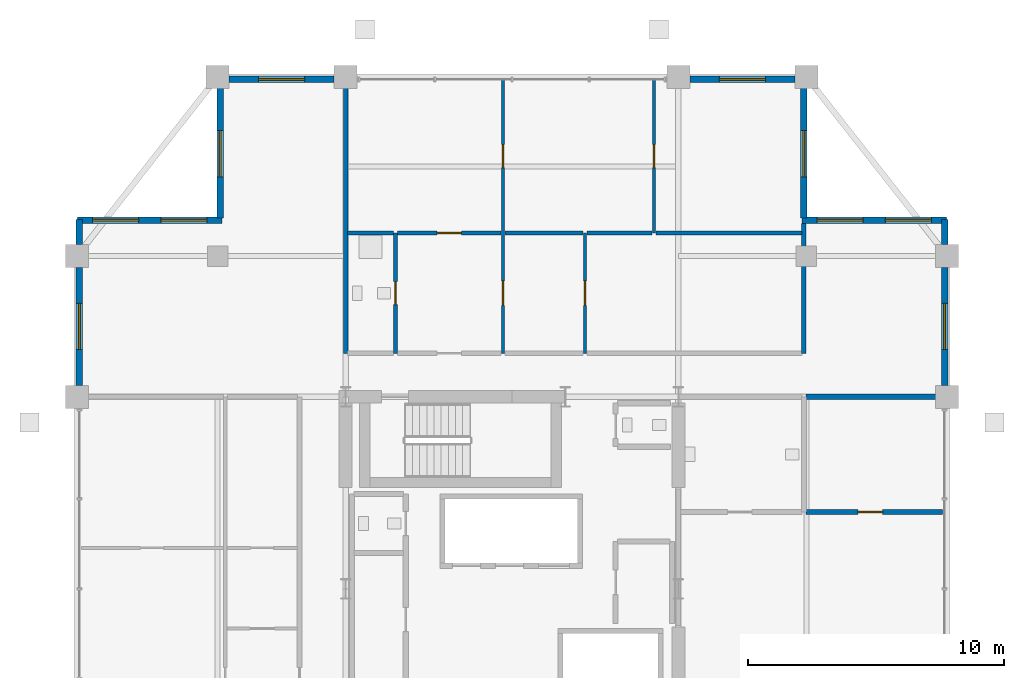
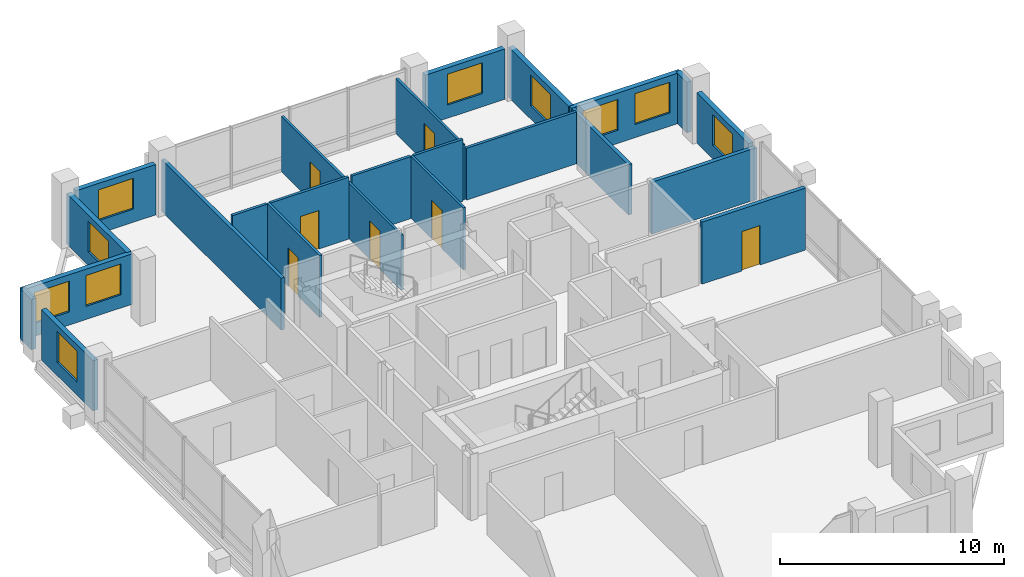
# One storey, part 18 of 21: 23 walls, 10 windows, 7 doors, 17 openings.
"""IFC4 building model written with IfcOpenShell, lengths in metres."""

from ifc_helpers import new_model, si_unit, direction, frame, frame_2d, origin, place, context, subcontext, project, spatial, rectangle, extrude, material, layer, layer_set, type_object, element, fill, save


model = new_model("IFC4")

# Units and contexts
model_context = context("Model", 3, precision=1e-05, world=origin(), true_north=direction((0.0, 1.0)))
body_context = subcontext(model_context, "Body", "Model", "MODEL_VIEW")
ifc_project = project(units=[si_unit("LENGTHUNIT", "METRE"), si_unit("AREAUNIT", "SQUARE_METRE"), si_unit("VOLUMEUNIT", "CUBIC_METRE"), si_unit("PLANEANGLEUNIT", "RADIAN"), si_unit("MASSUNIT", "GRAM", prefix="KILO")], contexts=[model_context])

# Site, building, storey
site_placement = place(None, origin())
site = spatial("IfcSite", under=ifc_project, at=site_placement, CompositionType="ELEMENT")
building_placement = place(site_placement, origin())
building = spatial("IfcBuilding", under=site, at=building_placement, Name="Barlavira Tower and Art Museum", CompositionType="ELEMENT")
storey_placement = place(building_placement, frame((0.0, 0.0, 222.300048828125)))
storey = spatial("IfcBuildingStorey", under=building, at=storey_placement, Name="L57", CompositionType="ELEMENT", Elevation=222.300048828125)

# Wall, openings, doors
ifc_material_1 = material(Name="Gypsum acoustic stud partition", Category="gypsum")
ifc_layer_1 = layer(ifc_material_1, 0.1201171875, Name="Gypsum acoustic stud partition")
ifc_layer_set_1 = layer_set([ifc_layer_1], Name="Gypsum acoustic stud partition")
wall_type_1 = type_object("IfcWallType", Name="Apartment Internal Acoustic Partition 120", PredefinedType="PARTITIONING", material=ifc_layer_set_1)
wall_1_placement = place(storey_placement, frame((-0.35009765625, 9.199951171875, 0.0), z_axis=(0.0, 0.0, 1.0), x_axis=(0.0, 1.0, 0.0)))
wall_1 = element("IfcWall", 1, at=wall_1_placement, inside=storey, type_object=wall_type_1, Name="L57 Partition Wall 8", PredefinedType="PARTITIONING", context=body_context, shape_type="SweptSolid", body=[
    extrude(rectangle(XDim=10.699951171875, YDim=0.1201171875, at=frame_2d((5.35009765625, 0.0))), origin(), (0.0, 0.0, 1.0), 3.01806640625),
])
opening_1_placement = place(wall_1_placement, frame((1.875, 0.0, 0.0)))
opening_1 = element("IfcOpeningElement", 2, at=opening_1_placement, cuts=wall_1, Name="Opening D-02", PredefinedType="OPENING", context=body_context, shape_type="SweptSolid", body=[
    extrude(rectangle(XDim=0.949951171875, YDim=2.10009765625, at=frame_2d((0.47509765625, 1.050048828125))), frame((0.0, 0.070068359375, 0.0), z_axis=(0.0, -1.0, 0.0), x_axis=(1.0, 0.0, 0.0)), (0.0, 0.0, 1.0), 0.14013671875),
])
opening_2_placement = place(wall_1_placement, frame((7.25, 0.0, 0.0)))
opening_2 = element("IfcOpeningElement", 3, at=opening_2_placement, cuts=wall_1, Name="Opening D-01", PredefinedType="OPENING", context=body_context, shape_type="SweptSolid", body=[
    extrude(rectangle(XDim=0.89990234375, YDim=2.10009765625, at=frame_2d((0.449951171875, 1.050048828125))), frame((0.0, 0.070068359375, 0.0), z_axis=(0.0, -1.0, 0.0), x_axis=(1.0, 0.0, 0.0)), (0.0, 0.0, 1.0), 0.14013671875),
])
ifc_material_2 = material(Name="Engineered coastal hardwood", Category="wood")
door_type_1 = type_object("IfcDoorType", Name="Internal Bedroom Timber Flush Door 900x2100", OperationType="NOTDEFINED", PredefinedType="DOOR", material=ifc_material_2)
door_1_placement = place(opening_2_placement, origin())
door_1 = element("IfcDoor", 4, at=door_1_placement, inside=storey, type_object=door_type_1, Name="Apartment SKY-N1 Bedroom 1 Door", OperationType="SINGLE_SWING_LEFT", OverallHeight=2.10009765625, OverallWidth=0.89990234375, PredefinedType="DOOR", context=body_context, shape_type="SweptSolid", body=[
    extrude(rectangle(XDim=0.89990234375, YDim=2.10009765625, at=frame_2d((0.449951171875, 1.050048828125))), frame((0.0, 0.02490234375, 0.0), z_axis=(0.0, -1.0, 0.0), x_axis=(1.0, 0.0, 0.0)), (0.0, 0.0, 1.0), 0.050048828125),
])
fill(opening_2, door_1)
door_type_2 = type_object("IfcDoorType", Name="Living and Salon Glazed-Leaf Door 950x2100", OperationType="NOTDEFINED", PredefinedType="DOOR", material=ifc_material_2)
door_2_placement = place(opening_1_placement, origin())
door_2 = element("IfcDoor", 5, at=door_2_placement, inside=storey, type_object=door_type_2, Name="Apartment SKY-N1 Kitchen Door", OperationType="SINGLE_SWING_RIGHT", OverallHeight=2.10009765625, OverallWidth=0.949951171875, PredefinedType="DOOR", context=body_context, shape_type="SweptSolid", body=[
    extrude(rectangle(XDim=0.949951171875, YDim=2.10009765625, at=frame_2d((0.47509765625, 1.050048828125))), frame((0.0, 0.02490234375, 0.0), z_axis=(0.0, -1.0, 0.0), x_axis=(1.0, 0.0, 0.0)), (0.0, 0.0, 1.0), 0.050048828125),
])
fill(opening_1, door_2)

# Wall, opening, door
wall_2_placement = place(storey_placement, frame((2.85009765625, 9.199951171875, 0.0), z_axis=(0.0, 0.0, 1.0), x_axis=(0.0, 1.0, 0.0)))
wall_2 = element("IfcWall", 6, at=wall_2_placement, inside=storey, type_object=wall_type_1, Name="L57 Partition Wall 10", PredefinedType="PARTITIONING", context=body_context, shape_type="SweptSolid", body=[
    extrude(rectangle(XDim=4.699951171875, YDim=0.1201171875, at=frame_2d((2.35009765625, 0.0))), origin(), (0.0, 0.0, 1.0), 3.3798828125),
])
opening_3_placement = place(wall_2_placement, frame((1.875, 0.0, 0.0)))
opening_3 = element("IfcOpeningElement", 7, at=opening_3_placement, cuts=wall_2, Name="Opening D-02", PredefinedType="OPENING", context=body_context, shape_type="SweptSolid", body=[
    extrude(rectangle(XDim=0.949951171875, YDim=2.10009765625, at=frame_2d((0.47509765625, 1.050048828125))), frame((0.0, 0.070068359375, 0.0), z_axis=(0.0, -1.0, 0.0), x_axis=(1.0, 0.0, 0.0)), (0.0, 0.0, 1.0), 0.14013671875),
])
door_3_placement = place(opening_3_placement, origin())
door_3 = element("IfcDoor", 8, at=door_3_placement, inside=storey, type_object=door_type_2, Name="Apartment SKY-N1 Dining Salon Door", OperationType="SINGLE_SWING_LEFT", OverallHeight=2.10009765625, OverallWidth=0.949951171875, PredefinedType="DOOR", context=body_context, shape_type="SweptSolid", body=[
    extrude(rectangle(XDim=0.949951171875, YDim=2.10009765625, at=frame_2d((0.47509765625, 1.050048828125))), frame((0.0, 0.02490234375, 0.0), z_axis=(0.0, -1.0, 0.0), x_axis=(1.0, 0.0, 0.0)), (0.0, 0.0, 1.0), 0.050048828125),
])
fill(opening_3, door_3)

wall_3_placement = place(storey_placement, frame((5.550048828125, 13.89990234375, 0.0), z_axis=(0.0, 0.0, 1.0), x_axis=(0.0, 1.0, 0.0)))
wall_3 = element("IfcWall", 9, at=wall_3_placement, inside=storey, type_object=wall_type_1, Name="L57 Partition Wall 13", PredefinedType="PARTITIONING", context=body_context, shape_type="SweptSolid", body=[
    extrude(rectangle(XDim=6.0, YDim=0.1201171875, at=frame_2d((3.0, 0.0))), origin(), (0.0, 0.0, 1.0), 3.01806640625),
])
opening_4_placement = place(wall_3_placement, frame((2.550048828125, 0.0, 0.0)))
opening_4 = element("IfcOpeningElement", 10, at=opening_4_placement, cuts=wall_3, Name="Opening D-01", PredefinedType="OPENING", context=body_context, shape_type="SweptSolid", body=[
    extrude(rectangle(XDim=0.89990234375, YDim=2.10009765625, at=frame_2d((0.449951171875, 1.050048828125))), frame((0.0, 0.070068359375, 0.0), z_axis=(0.0, -1.0, 0.0), x_axis=(1.0, 0.0, 0.0)), (0.0, 0.0, 1.0), 0.14013671875),
])
door_4_placement = place(opening_4_placement, origin())
door_4 = element("IfcDoor", 11, at=door_4_placement, inside=storey, type_object=door_type_1, Name="Apartment SKY-N1 Bedroom 2 Door", OperationType="SINGLE_SWING_RIGHT", OverallHeight=2.10009765625, OverallWidth=0.89990234375, PredefinedType="DOOR", context=body_context, shape_type="SweptSolid", body=[
    extrude(rectangle(XDim=0.89990234375, YDim=2.10009765625, at=frame_2d((0.449951171875, 1.050048828125))), frame((0.0, 0.02490234375, 0.0), z_axis=(0.0, -1.0, 0.0), x_axis=(1.0, 0.0, 0.0)), (0.0, 0.0, 1.0), 0.050048828125),
])
fill(opening_4, door_4)

ifc_material_3 = material(Name="Autoclaved aerated concrete masonry", Category="masonry")
ifc_layer_2 = layer(ifc_material_3, 0.199951171875, Name="Autoclaved aerated concrete masonry")
ifc_layer_set_2 = layer_set([ifc_layer_2], Name="Autoclaved aerated concrete masonry")
wall_type_2 = type_object("IfcWallType", Name="Fire Compartment and Shaft Wall 200", PredefinedType="SOLIDWALL", material=ifc_layer_set_2)
wall_4_placement = place(storey_placement, frame((11.47998046875, 3.0, 0.0), z_axis=(0.0, 0.0, 1.0), x_axis=(1.0, 0.0, 0.0)))
wall_4 = element("IfcWall", 12, at=wall_4_placement, inside=storey, type_object=wall_type_2, Name="L57 Partition Wall 34", PredefinedType="SOLIDWALL", context=body_context, shape_type="SweptSolid", body=[
    extrude(rectangle(XDim=5.340087890625, YDim=0.199951171875, at=frame_2d((2.669921875, 0.0))), origin(), (0.0, 0.0, 1.0), 3.3798828125),
])
opening_5_placement = place(wall_4_placement, frame((2.044921875, 0.0, 0.0)))
opening_5 = element("IfcOpeningElement", 13, at=opening_5_placement, cuts=wall_4, Name="Opening FD-60", PredefinedType="OPENING", context=body_context, shape_type="SweptSolid", body=[
    extrude(rectangle(XDim=0.949951171875, YDim=2.14990234375, at=frame_2d((0.47509765625, 1.074951171875))), frame((0.0, 0.10986328125, 0.0), z_axis=(0.0, -1.0, 0.0), x_axis=(1.0, 0.0, 0.0)), (0.0, 0.0, 1.0), 0.219970703125),
])
ifc_material_4 = material(Name="Brushed stainless steel", Category="steel")
door_type_3 = type_object("IfcDoorType", Name="Apartment Entrance and Riser Fire Door 950x2150 FD60S", OperationType="NOTDEFINED", PredefinedType="DOOR", material=ifc_material_4)
door_5_placement = place(opening_5_placement, origin())
door_5 = element("IfcDoor", 14, at=door_5_placement, inside=storey, type_object=door_type_3, Name="Sky Concierge Luggage Store Door", OperationType="SINGLE_SWING_LEFT", OverallHeight=2.14990234375, OverallWidth=0.949951171875, PredefinedType="DOOR", context=body_context, shape_type="SweptSolid", body=[
    extrude(rectangle(XDim=0.949951171875, YDim=2.14990234375, at=frame_2d((0.47509765625, 1.074951171875))), frame((0.0, 0.02490234375, 0.0), z_axis=(0.0, -1.0, 0.0), x_axis=(1.0, 0.0, 0.0)), (0.0, 0.0, 1.0), 0.050048828125),
])
fill(opening_5, door_5)

# Walls
wall_5_placement = place(storey_placement, frame((11.47998046875, 7.5, 0.0), z_axis=(0.0, 0.0, 1.0), x_axis=(1.0, 0.0, 0.0)))
element("IfcWall", 15, at=wall_5_placement, inside=storey, type_object=wall_type_2, Name="L57 Partition Wall 41", PredefinedType="SOLIDWALL", context=body_context, shape_type="SweptSolid", body=[
    extrude(rectangle(XDim=5.419921875, YDim=0.199951171875, at=frame_2d((2.7099609375, 0.0))), origin(), (0.0, 0.0, 1.0), 2.825927734375),
])
ifc_layer_3 = layer(ifc_material_1, 0.179931640625, Name="Gypsum acoustic stud partition")
ifc_layer_set_3 = layer_set([ifc_layer_3], Name="Gypsum acoustic stud partition")
wall_type_3 = type_object("IfcWallType", Name="Inter-Tenancy Party Partition Wall 180", PredefinedType="PARTITIONING", material=ifc_layer_set_3)
wall_6_placement = place(storey_placement, frame((-6.5, 9.199951171875, 0.0), z_axis=(0.0, 0.0, 1.0), x_axis=(0.0, 1.0, 0.0)))
element("IfcWall", 16, at=wall_6_placement, inside=storey, type_object=wall_type_3, Name="L57 Partition Wall 4", PredefinedType="PARTITIONING", context=body_context, shape_type="SweptSolid", body=[
    extrude(rectangle(XDim=10.699951171875, YDim=0.179931640625, at=frame_2d((5.35009765625, 0.0))), origin(), (0.0, 0.0, 1.0), 2.825927734375),
])
wall_7_placement = place(storey_placement, frame((11.39990234375, 9.199951171875, 0.0), z_axis=(0.0, 0.0, 1.0), x_axis=(0.0, 1.0, 0.0)))
element("IfcWall", 17, at=wall_7_placement, inside=storey, type_object=wall_type_3, Name="L57 Partition Wall 18", PredefinedType="PARTITIONING", context=body_context, shape_type="SweptSolid", body=[
    extrude(rectangle(XDim=5.070068359375, YDim=0.179931640625, at=frame_2d((2.53515625, 0.0))), origin(), (0.0, 0.0, 1.0), 2.748046875),
])

# Wall, opening, door
ifc_layer_4 = layer(ifc_material_1, 0.139892578125, Name="Gypsum acoustic stud partition")
ifc_layer_set_4 = layer_set([ifc_layer_4], Name="Gypsum acoustic stud partition")
wall_type_4 = type_object("IfcWallType", Name="Moisture-Resistant Bathroom Partition 140", PredefinedType="PARTITIONING", material=ifc_layer_set_4)
wall_8_placement = place(storey_placement, frame((-4.550048828125, 9.199951171875, 0.0), z_axis=(0.0, 0.0, 1.0), x_axis=(0.0, 1.0, 0.0)))
wall_8 = element("IfcWall", 18, at=wall_8_placement, inside=storey, type_object=wall_type_4, Name="L57 Partition Wall 6", PredefinedType="PARTITIONING", context=body_context, shape_type="SweptSolid", body=[
    extrude(rectangle(XDim=4.699951171875, YDim=0.139892578125, at=frame_2d((2.35009765625, 0.0))), origin(), (0.0, 0.0, 1.0), 3.3798828125),
])
opening_6_placement = place(wall_8_placement, frame((1.89990234375, 0.0, 0.0)))
opening_6 = element("IfcOpeningElement", 19, at=opening_6_placement, cuts=wall_8, Name="Opening D-WC", PredefinedType="OPENING", context=body_context, shape_type="SweptSolid", body=[
    extrude(rectangle(XDim=0.89990234375, YDim=2.10009765625, at=frame_2d((0.449951171875, 1.050048828125))), frame((0.0, 0.080078125, 0.0), z_axis=(0.0, -1.0, 0.0), x_axis=(1.0, 0.0, 0.0)), (0.0, 0.0, 1.0), 0.159912109375),
])
door_type_4 = type_object("IfcDoorType", Name="Accessible Bathroom Flush Door 900x2100", OperationType="NOTDEFINED", PredefinedType="DOOR", material=ifc_material_2)
door_6_placement = place(opening_6_placement, origin())
door_6 = element("IfcDoor", 20, at=door_6_placement, inside=storey, type_object=door_type_4, Name="Apartment SKY-N1 Hall Bathroom Door", OperationType="SINGLE_SWING_RIGHT", OverallHeight=2.10009765625, OverallWidth=0.89990234375, PredefinedType="DOOR", context=body_context, shape_type="SweptSolid", body=[
    extrude(rectangle(XDim=0.89990234375, YDim=2.10009765625, at=frame_2d((0.449951171875, 1.050048828125))), frame((0.0, 0.02490234375, 0.0), z_axis=(0.0, -1.0, 0.0), x_axis=(1.0, 0.0, 0.0)), (0.0, 0.0, 1.0), 0.050048828125),
])
fill(opening_6, door_6)

# Wall
wall_9_placement = place(storey_placement, frame((-6.419921875, 13.89990234375, 0.0), z_axis=(0.0, 0.0, 1.0), x_axis=(1.0, 0.0, 0.0)))
element("IfcWall", 21, at=wall_9_placement, inside=storey, type_object=wall_type_4, Name="L57 Partition Wall 46", PredefinedType="PARTITIONING", context=body_context, shape_type="SweptSolid", body=[
    extrude(rectangle(XDim=1.7900390625, YDim=0.139892578125, at=frame_2d((0.89501953125, 0.0))), origin(), (0.0, 0.0, 1.0), 3.3798828125),
])

# Wall, opening, door
wall_10_placement = place(storey_placement, frame((-4.469970703125, 13.89990234375, 0.0), z_axis=(0.0, 0.0, 1.0), x_axis=(1.0, 0.0, 0.0)))
wall_10 = element("IfcWall", 22, at=wall_10_placement, inside=storey, type_object=wall_type_4, Name="L57 Partition Wall 47", PredefinedType="PARTITIONING", context=body_context, shape_type="SweptSolid", body=[
    extrude(rectangle(XDim=4.0400390625, YDim=0.139892578125, at=frame_2d((2.02001953125, 0.0))), origin(), (0.0, 0.0, 1.0), 3.3798828125),
])
opening_7_placement = place(wall_10_placement, frame((1.544921875, 0.0, 0.0)))
opening_7 = element("IfcOpeningElement", 23, at=opening_7_placement, cuts=wall_10, Name="Opening D-02", PredefinedType="OPENING", context=body_context, shape_type="SweptSolid", body=[
    extrude(rectangle(XDim=0.949951171875, YDim=2.10009765625, at=frame_2d((0.47509765625, 1.050048828125))), frame((0.0, 0.080078125, 0.0), z_axis=(0.0, -1.0, 0.0), x_axis=(1.0, 0.0, 0.0)), (0.0, 0.0, 1.0), 0.159912109375),
])
door_7_placement = place(opening_7_placement, origin())
door_7 = element("IfcDoor", 24, at=door_7_placement, inside=storey, type_object=door_type_2, Name="Apartment SKY-N1 Living Lounge Door", OperationType="SINGLE_SWING_RIGHT", OverallHeight=2.10009765625, OverallWidth=0.949951171875, PredefinedType="DOOR", context=body_context, shape_type="SweptSolid", body=[
    extrude(rectangle(XDim=0.949951171875, YDim=2.10009765625, at=frame_2d((0.47509765625, 1.050048828125))), frame((0.0, 0.02490234375, 0.0), z_axis=(0.0, -1.0, 0.0), x_axis=(1.0, 0.0, 0.0)), (0.0, 0.0, 1.0), 0.050048828125),
])
fill(opening_7, door_7)

# Walls
wall_11_placement = place(storey_placement, frame((-0.27001953125, 13.89990234375, 0.0), z_axis=(0.0, 0.0, 1.0), x_axis=(1.0, 0.0, 0.0)))
element("IfcWall", 25, at=wall_11_placement, inside=storey, type_object=wall_type_4, Name="L57 Partition Wall 48", PredefinedType="PARTITIONING", context=body_context, shape_type="SweptSolid", body=[
    extrude(rectangle(XDim=3.0400390625, YDim=0.139892578125, at=frame_2d((1.52001953125, 0.0))), origin(), (0.0, 0.0, 1.0), 3.3798828125),
])
wall_12_placement = place(storey_placement, frame((2.929931640625, 13.89990234375, 0.0), z_axis=(0.0, 0.0, 1.0), x_axis=(1.0, 0.0, 0.0)))
element("IfcWall", 26, at=wall_12_placement, inside=storey, type_object=wall_type_4, Name="L57 Partition Wall 49", PredefinedType="PARTITIONING", context=body_context, shape_type="SweptSolid", body=[
    extrude(rectangle(XDim=2.5400390625, YDim=0.139892578125, at=frame_2d((1.27001953125, 0.0))), origin(), (0.0, 0.0, 1.0), 3.3798828125),
])
wall_13_placement = place(storey_placement, frame((5.6298828125, 13.89990234375, 0.0), z_axis=(0.0, 0.0, 1.0), x_axis=(1.0, 0.0, 0.0)))
element("IfcWall", 27, at=wall_13_placement, inside=storey, type_object=wall_type_4, Name="L57 Partition Wall 50", PredefinedType="PARTITIONING", context=body_context, shape_type="SweptSolid", body=[
    extrude(rectangle(XDim=5.690185546875, YDim=0.139892578125, at=frame_2d((2.84521484375, 0.0))), origin(), (0.0, 0.0, 1.0), 2.825927734375),
])

# Wall, opening, window
ifc_material_5 = material(Name="Precast concrete C40", Category="concrete")
ifc_layer_5 = layer(ifc_material_5, 0.25, Name="Precast concrete C40")
ifc_layer_set_5 = layer_set([ifc_layer_5], Name="Precast concrete C40")
wall_type_5 = type_object("IfcWallType", Name="Notched Corner Spandrel Wall 250 Precast Concrete C40", PredefinedType="SOLIDWALL", material=ifc_layer_set_5)
wall_14_placement = place(storey_placement, frame((11.054931640625, 19.89990234375, 0.0), z_axis=(0.0, 0.0, 1.0), x_axis=(-1.0, 0.0, 0.0)))
wall_14 = element("IfcWall", 28, at=wall_14_placement, inside=storey, type_object=wall_type_5, Name="L57 Coastal Facade Pier Wall CW4-L57-N-1", PredefinedType="SOLIDWALL", context=body_context, shape_type="SweptSolid", body=[
    extrude(rectangle(XDim=4.10986328125, YDim=0.25, at=frame_2d((2.054931640625, 0.0))), origin(), (0.0, 0.0, 1.0), 2.748046875),
])
opening_8_placement = place(wall_14_placement, frame((1.155029296875, 0.0, 0.719970703125)))
opening_8 = element("IfcOpeningElement", 29, at=opening_8_placement, cuts=wall_14, Name="Opening WN-01", PredefinedType="OPENING", context=body_context, shape_type="SweptSolid", body=[
    extrude(rectangle(XDim=1.800048828125, YDim=1.679931640625, at=frame_2d((0.89990234375, 0.83984375))), frame((0.0, 0.135009765625, 0.0), z_axis=(0.0, -1.0, 0.0), x_axis=(1.0, 0.0, 0.0)), (0.0, 0.0, 1.0), 0.27001953125),
])
ifc_material_6 = material(Name="Low-iron coastal laminated glass", Category="glass")
window_type = type_object("IfcWindowType", Name="Recessed Notch Corner Punch Window 1800x1680", PartitioningType="SINGLE_PANEL", PredefinedType="WINDOW", material=ifc_material_6)
window_1_placement = place(opening_8_placement, origin())
window_1 = element("IfcWindow", 30, at=window_1_placement, inside=storey, type_object=window_type, Name="L57 Punched Facade Window EWP-CW4-L57-N-1-1", OverallHeight=1.679931640625, OverallWidth=1.800048828125, PartitioningType="SINGLE_PANEL", PredefinedType="WINDOW", context=body_context, shape_type="SweptSolid", body=[
    extrude(rectangle(XDim=1.800048828125, YDim=1.679931640625, at=frame_2d((0.89990234375, 0.83984375))), frame((0.0, 0.030029296875, 0.0), z_axis=(0.0, -1.0, 0.0), x_axis=(1.0, 0.0, 0.0)), (0.0, 0.0, 1.0), 0.06005859375),
])
fill(opening_8, window_1)

wall_15_placement = place(storey_placement, frame((-6.945068359375, 19.89990234375, 0.0), z_axis=(0.0, 0.0, 1.0), x_axis=(-1.0, 0.0, 0.0)))
wall_15 = element("IfcWall", 31, at=wall_15_placement, inside=storey, type_object=wall_type_5, Name="L57 Coastal Facade Pier Wall CW4-L57-N-3", PredefinedType="SOLIDWALL", context=body_context, shape_type="SweptSolid", body=[
    extrude(rectangle(XDim=4.10986328125, YDim=0.25, at=frame_2d((2.054931640625, 0.0))), origin(), (0.0, 0.0, 1.0), 2.748046875),
])
opening_9_placement = place(wall_15_placement, frame((1.155029296875, 0.0, 0.719970703125)))
opening_9 = element("IfcOpeningElement", 32, at=opening_9_placement, cuts=wall_15, Name="Opening WN-01", PredefinedType="OPENING", context=body_context, shape_type="SweptSolid", body=[
    extrude(rectangle(XDim=1.800048828125, YDim=1.679931640625, at=frame_2d((0.89990234375, 0.83984375))), frame((0.0, 0.135009765625, 0.0), z_axis=(0.0, -1.0, 0.0), x_axis=(1.0, 0.0, 0.0)), (0.0, 0.0, 1.0), 0.27001953125),
])
window_2_placement = place(opening_9_placement, origin())
window_2 = element("IfcWindow", 33, at=window_2_placement, inside=storey, type_object=window_type, Name="L57 Punched Facade Window EWP-CW4-L57-N-3-1", OverallHeight=1.679931640625, OverallWidth=1.800048828125, PartitioningType="SINGLE_PANEL", PredefinedType="WINDOW", context=body_context, shape_type="SweptSolid", body=[
    extrude(rectangle(XDim=1.800048828125, YDim=1.679931640625, at=frame_2d((0.89990234375, 0.83984375))), frame((0.0, 0.030029296875, 0.0), z_axis=(0.0, -1.0, 0.0), x_axis=(1.0, 0.0, 0.0)), (0.0, 0.0, 1.0), 0.06005859375),
])
fill(opening_9, window_2)

# Wall
wall_16_placement = place(storey_placement, frame((-16.89990234375, 14.425048828125, 0.0), z_axis=(0.0, 0.0, 1.0), x_axis=(0.0, -1.0, 0.0)))
element("IfcWall", 34, at=wall_16_placement, inside=storey, type_object=wall_type_5, Name="L57 Coastal Facade Pier Wall CW4-L57-W-1", PredefinedType="SOLIDWALL", context=body_context, shape_type="SweptSolid", body=[
    extrude(rectangle(XDim=0.97998046875, YDim=0.25, at=frame_2d((0.489990234375, 0.0))), origin(), (0.0, 0.0, 1.0), 2.748046875),
])

# Wall, opening, window
wall_17_placement = place(storey_placement, frame((-16.89990234375, 12.554931640625, 0.0), z_axis=(0.0, 0.0, 1.0), x_axis=(0.0, -1.0, 0.0)))
wall_17 = element("IfcWall", 35, at=wall_17_placement, inside=storey, type_object=wall_type_5, Name="L57 Coastal Facade Pier Wall CW4-L57-W-2", PredefinedType="SOLIDWALL", context=body_context, shape_type="SweptSolid", body=[
    extrude(rectangle(XDim=4.60986328125, YDim=0.25, at=frame_2d((2.304931640625, 0.0))), origin(), (0.0, 0.0, 1.0), 2.748046875),
])
opening_10_placement = place(wall_17_placement, frame((1.405029296875, 0.0, 0.719970703125)))
opening_10 = element("IfcOpeningElement", 36, at=opening_10_placement, cuts=wall_17, Name="Opening WN-01", PredefinedType="OPENING", context=body_context, shape_type="SweptSolid", body=[
    extrude(rectangle(XDim=1.800048828125, YDim=1.679931640625, at=frame_2d((0.89990234375, 0.83984375))), frame((0.0, 0.135009765625, 0.0), z_axis=(0.0, -1.0, 0.0), x_axis=(1.0, 0.0, 0.0)), (0.0, 0.0, 1.0), 0.27001953125),
])
window_3_placement = place(opening_10_placement, origin())
window_3 = element("IfcWindow", 37, at=window_3_placement, inside=storey, type_object=window_type, Name="L57 Punched Facade Window EWP-CW4-L57-W-2-1", OverallHeight=1.679931640625, OverallWidth=1.800048828125, PartitioningType="SINGLE_PANEL", PredefinedType="WINDOW", context=body_context, shape_type="SweptSolid", body=[
    extrude(rectangle(XDim=1.800048828125, YDim=1.679931640625, at=frame_2d((0.89990234375, 0.83984375))), frame((0.0, 0.030029296875, 0.0), z_axis=(0.0, -1.0, 0.0), x_axis=(1.0, 0.0, 0.0)), (0.0, 0.0, 1.0), 0.06005859375),
])
fill(opening_10, window_3)

wall_18_placement = place(storey_placement, frame((16.89990234375, 7.945068359375, 0.0), z_axis=(0.0, 0.0, 1.0), x_axis=(0.0, 1.0, 0.0)))
wall_18 = element("IfcWall", 38, at=wall_18_placement, inside=storey, type_object=wall_type_5, Name="L57 Coastal Facade Pier Wall CW4-L57-E-4", PredefinedType="SOLIDWALL", context=body_context, shape_type="SweptSolid", body=[
    extrude(rectangle(XDim=4.60986328125, YDim=0.25, at=frame_2d((2.304931640625, 0.0))), origin(), (0.0, 0.0, 1.0), 2.748046875),
])
opening_11_placement = place(wall_18_placement, frame((1.405029296875, 0.0, 0.719970703125)))
opening_11 = element("IfcOpeningElement", 39, at=opening_11_placement, cuts=wall_18, Name="Opening WN-01", PredefinedType="OPENING", context=body_context, shape_type="SweptSolid", body=[
    extrude(rectangle(XDim=1.800048828125, YDim=1.679931640625, at=frame_2d((0.89990234375, 0.83984375))), frame((0.0, 0.135009765625, 0.0), z_axis=(0.0, -1.0, 0.0), x_axis=(1.0, 0.0, 0.0)), (0.0, 0.0, 1.0), 0.27001953125),
])
window_4_placement = place(opening_11_placement, origin())
window_4 = element("IfcWindow", 40, at=window_4_placement, inside=storey, type_object=window_type, Name="L57 Punched Facade Window EWP-CW4-L57-E-4-1", OverallHeight=1.679931640625, OverallWidth=1.800048828125, PartitioningType="SINGLE_PANEL", PredefinedType="WINDOW", context=body_context, shape_type="SweptSolid", body=[
    extrude(rectangle(XDim=1.800048828125, YDim=1.679931640625, at=frame_2d((0.89990234375, 0.83984375))), frame((0.0, 0.030029296875, 0.0), z_axis=(0.0, -1.0, 0.0), x_axis=(1.0, 0.0, 0.0)), (0.0, 0.0, 1.0), 0.06005859375),
])
fill(opening_11, window_4)

# Wall
wall_19_placement = place(storey_placement, frame((16.89990234375, 13.445068359375, 0.0), z_axis=(0.0, 0.0, 1.0), x_axis=(0.0, 1.0, 0.0)))
element("IfcWall", 41, at=wall_19_placement, inside=storey, type_object=wall_type_5, Name="L57 Coastal Facade Pier Wall CW4-L57-E-5", PredefinedType="SOLIDWALL", context=body_context, shape_type="SweptSolid", body=[
    extrude(rectangle(XDim=0.97998046875, YDim=0.25, at=frame_2d((0.489990234375, 0.0))), origin(), (0.0, 0.0, 1.0), 2.748046875),
])

# Wall, openings, windows
wall_20_placement = place(storey_placement, frame((16.97998046875, 14.39990234375, 0.0), z_axis=(0.0, 0.0, 1.0), x_axis=(-1.0, 0.0, 0.0)))
wall_20 = element("IfcWall", 42, at=wall_20_placement, inside=storey, type_object=wall_type_5, Name="L57 Notch Corner Wall NE1", PredefinedType="SOLIDWALL", context=body_context, shape_type="SweptSolid", body=[
    extrude(rectangle(XDim=5.659912109375, YDim=0.25, at=frame_2d((2.830078125, 0.0))), origin(), (0.0, 0.0, 1.0), 2.748046875),
])
opening_12_placement = place(wall_20_placement, frame((0.594970703125, 0.0, 0.719970703125)))
opening_12 = element("IfcOpeningElement", 43, at=opening_12_placement, cuts=wall_20, Name="Opening WN-01", PredefinedType="OPENING", context=body_context, shape_type="SweptSolid", body=[
    extrude(rectangle(XDim=1.800048828125, YDim=1.679931640625, at=frame_2d((0.89990234375, 0.83984375))), frame((0.0, 0.135009765625, 0.0), z_axis=(0.0, -1.0, 0.0), x_axis=(1.0, 0.0, 0.0)), (0.0, 0.0, 1.0), 0.27001953125),
])
opening_13_placement = place(wall_20_placement, frame((3.264892578125, 0.0, 0.719970703125)))
opening_13 = element("IfcOpeningElement", 44, at=opening_13_placement, cuts=wall_20, Name="Opening WN-01", PredefinedType="OPENING", context=body_context, shape_type="SweptSolid", body=[
    extrude(rectangle(XDim=1.800048828125, YDim=1.679931640625, at=frame_2d((0.89990234375, 0.83984375))), frame((0.0, 0.135009765625, 0.0), z_axis=(0.0, -1.0, 0.0), x_axis=(1.0, 0.0, 0.0)), (0.0, 0.0, 1.0), 0.27001953125),
])
window_5_placement = place(opening_12_placement, origin())
window_5 = element("IfcWindow", 45, at=window_5_placement, inside=storey, type_object=window_type, Name="L57 Punched Facade Window EW-NTC-L57-NE1-1", OverallHeight=1.679931640625, OverallWidth=1.800048828125, PartitioningType="SINGLE_PANEL", PredefinedType="WINDOW", context=body_context, shape_type="SweptSolid", body=[
    extrude(rectangle(XDim=1.800048828125, YDim=1.679931640625, at=frame_2d((0.89990234375, 0.83984375))), frame((0.0, 0.030029296875, 0.0), z_axis=(0.0, -1.0, 0.0), x_axis=(1.0, 0.0, 0.0)), (0.0, 0.0, 1.0), 0.06005859375),
])
fill(opening_12, window_5)
window_6_placement = place(opening_13_placement, origin())
window_6 = element("IfcWindow", 46, at=window_6_placement, inside=storey, type_object=window_type, Name="L57 Punched Facade Window EW-NTC-L57-NE1-2", OverallHeight=1.679931640625, OverallWidth=1.800048828125, PartitioningType="SINGLE_PANEL", PredefinedType="WINDOW", context=body_context, shape_type="SweptSolid", body=[
    extrude(rectangle(XDim=1.800048828125, YDim=1.679931640625, at=frame_2d((0.89990234375, 0.83984375))), frame((0.0, 0.030029296875, 0.0), z_axis=(0.0, -1.0, 0.0), x_axis=(1.0, 0.0, 0.0)), (0.0, 0.0, 1.0), 0.06005859375),
])
fill(opening_13, window_6)

# Wall, opening, window
wall_21_placement = place(storey_placement, frame((11.39990234375, 14.47998046875, 0.0), z_axis=(0.0, 0.0, 1.0), x_axis=(0.0, 1.0, 0.0)))
wall_21 = element("IfcWall", 47, at=wall_21_placement, inside=storey, type_object=wall_type_5, Name="L57 Notch Corner Wall NE2", PredefinedType="SOLIDWALL", context=body_context, shape_type="SweptSolid", body=[
    extrude(rectangle(XDim=5.340087890625, YDim=0.25, at=frame_2d((2.669921875, 0.0))), origin(), (0.0, 0.0, 1.0), 2.748046875),
])
opening_14_placement = place(wall_21_placement, frame((1.614990234375, 0.0, 0.719970703125)))
opening_14 = element("IfcOpeningElement", 48, at=opening_14_placement, cuts=wall_21, Name="Opening WN-01", PredefinedType="OPENING", context=body_context, shape_type="SweptSolid", body=[
    extrude(rectangle(XDim=1.800048828125, YDim=1.679931640625, at=frame_2d((0.89990234375, 0.83984375))), frame((0.0, 0.135009765625, 0.0), z_axis=(0.0, -1.0, 0.0), x_axis=(1.0, 0.0, 0.0)), (0.0, 0.0, 1.0), 0.27001953125),
])
window_7_placement = place(opening_14_placement, origin())
window_7 = element("IfcWindow", 49, at=window_7_placement, inside=storey, type_object=window_type, Name="L57 Punched Facade Window EW-NTC-L57-NE2-1", OverallHeight=1.679931640625, OverallWidth=1.800048828125, PartitioningType="SINGLE_PANEL", PredefinedType="WINDOW", context=body_context, shape_type="SweptSolid", body=[
    extrude(rectangle(XDim=1.800048828125, YDim=1.679931640625, at=frame_2d((0.89990234375, 0.83984375))), frame((0.0, 0.030029296875, 0.0), z_axis=(0.0, -1.0, 0.0), x_axis=(1.0, 0.0, 0.0)), (0.0, 0.0, 1.0), 0.06005859375),
])
fill(opening_14, window_7)

wall_22_placement = place(storey_placement, frame((-11.39990234375, 19.820068359375, 0.0), z_axis=(0.0, 0.0, 1.0), x_axis=(0.0, -1.0, 0.0)))
wall_22 = element("IfcWall", 50, at=wall_22_placement, inside=storey, type_object=wall_type_5, Name="L57 Notch Corner Wall NW1", PredefinedType="SOLIDWALL", context=body_context, shape_type="SweptSolid", body=[
    extrude(rectangle(XDim=5.340087890625, YDim=0.25, at=frame_2d((2.669921875, 0.0))), origin(), (0.0, 0.0, 1.0), 2.748046875),
])
opening_15_placement = place(wall_22_placement, frame((1.925048828125, 0.0, 0.719970703125)))
opening_15 = element("IfcOpeningElement", 51, at=opening_15_placement, cuts=wall_22, Name="Opening WN-01", PredefinedType="OPENING", context=body_context, shape_type="SweptSolid", body=[
    extrude(rectangle(XDim=1.800048828125, YDim=1.679931640625, at=frame_2d((0.89990234375, 0.83984375))), frame((0.0, 0.135009765625, 0.0), z_axis=(0.0, -1.0, 0.0), x_axis=(1.0, 0.0, 0.0)), (0.0, 0.0, 1.0), 0.27001953125),
])
window_8_placement = place(opening_15_placement, origin())
window_8 = element("IfcWindow", 52, at=window_8_placement, inside=storey, type_object=window_type, Name="L57 Punched Facade Window EW-NTC-L57-NW1-1", OverallHeight=1.679931640625, OverallWidth=1.800048828125, PartitioningType="SINGLE_PANEL", PredefinedType="WINDOW", context=body_context, shape_type="SweptSolid", body=[
    extrude(rectangle(XDim=1.800048828125, YDim=1.679931640625, at=frame_2d((0.89990234375, 0.83984375))), frame((0.0, 0.030029296875, 0.0), z_axis=(0.0, -1.0, 0.0), x_axis=(1.0, 0.0, 0.0)), (0.0, 0.0, 1.0), 0.06005859375),
])
fill(opening_15, window_8)

# Wall, openings, windows
wall_23_placement = place(storey_placement, frame((-11.320068359375, 14.39990234375, 0.0), z_axis=(0.0, 0.0, 1.0), x_axis=(-1.0, 0.0, 0.0)))
wall_23 = element("IfcWall", 53, at=wall_23_placement, inside=storey, type_object=wall_type_5, Name="L57 Notch Corner Wall NW2", PredefinedType="SOLIDWALL", context=body_context, shape_type="SweptSolid", body=[
    extrude(rectangle(XDim=5.659912109375, YDim=0.25, at=frame_2d((2.830078125, 0.0))), origin(), (0.0, 0.0, 1.0), 2.748046875),
])
opening_16_placement = place(wall_23_placement, frame((0.594970703125, 0.0, 0.719970703125)))
opening_16 = element("IfcOpeningElement", 54, at=opening_16_placement, cuts=wall_23, Name="Opening WN-01", PredefinedType="OPENING", context=body_context, shape_type="SweptSolid", body=[
    extrude(rectangle(XDim=1.800048828125, YDim=1.679931640625, at=frame_2d((0.89990234375, 0.83984375))), frame((0.0, 0.135009765625, 0.0), z_axis=(0.0, -1.0, 0.0), x_axis=(1.0, 0.0, 0.0)), (0.0, 0.0, 1.0), 0.27001953125),
])
opening_17_placement = place(wall_23_placement, frame((3.264892578125, 0.0, 0.719970703125)))
opening_17 = element("IfcOpeningElement", 55, at=opening_17_placement, cuts=wall_23, Name="Opening WN-01", PredefinedType="OPENING", context=body_context, shape_type="SweptSolid", body=[
    extrude(rectangle(XDim=1.800048828125, YDim=1.679931640625, at=frame_2d((0.89990234375, 0.83984375))), frame((0.0, 0.135009765625, 0.0), z_axis=(0.0, -1.0, 0.0), x_axis=(1.0, 0.0, 0.0)), (0.0, 0.0, 1.0), 0.27001953125),
])
window_9_placement = place(opening_16_placement, origin())
window_9 = element("IfcWindow", 56, at=window_9_placement, inside=storey, type_object=window_type, Name="L57 Punched Facade Window EW-NTC-L57-NW2-1", OverallHeight=1.679931640625, OverallWidth=1.800048828125, PartitioningType="SINGLE_PANEL", PredefinedType="WINDOW", context=body_context, shape_type="SweptSolid", body=[
    extrude(rectangle(XDim=1.800048828125, YDim=1.679931640625, at=frame_2d((0.89990234375, 0.83984375))), frame((0.0, 0.030029296875, 0.0), z_axis=(0.0, -1.0, 0.0), x_axis=(1.0, 0.0, 0.0)), (0.0, 0.0, 1.0), 0.06005859375),
])
fill(opening_16, window_9)
window_10_placement = place(opening_17_placement, origin())
window_10 = element("IfcWindow", 57, at=window_10_placement, inside=storey, type_object=window_type, Name="L57 Punched Facade Window EW-NTC-L57-NW2-2", OverallHeight=1.679931640625, OverallWidth=1.800048828125, PartitioningType="SINGLE_PANEL", PredefinedType="WINDOW", context=body_context, shape_type="SweptSolid", body=[
    extrude(rectangle(XDim=1.800048828125, YDim=1.679931640625, at=frame_2d((0.89990234375, 0.83984375))), frame((0.0, 0.030029296875, 0.0), z_axis=(0.0, -1.0, 0.0), x_axis=(1.0, 0.0, 0.0)), (0.0, 0.0, 1.0), 0.06005859375),
])
fill(opening_17, window_10)

save(model, "model.ifc")
